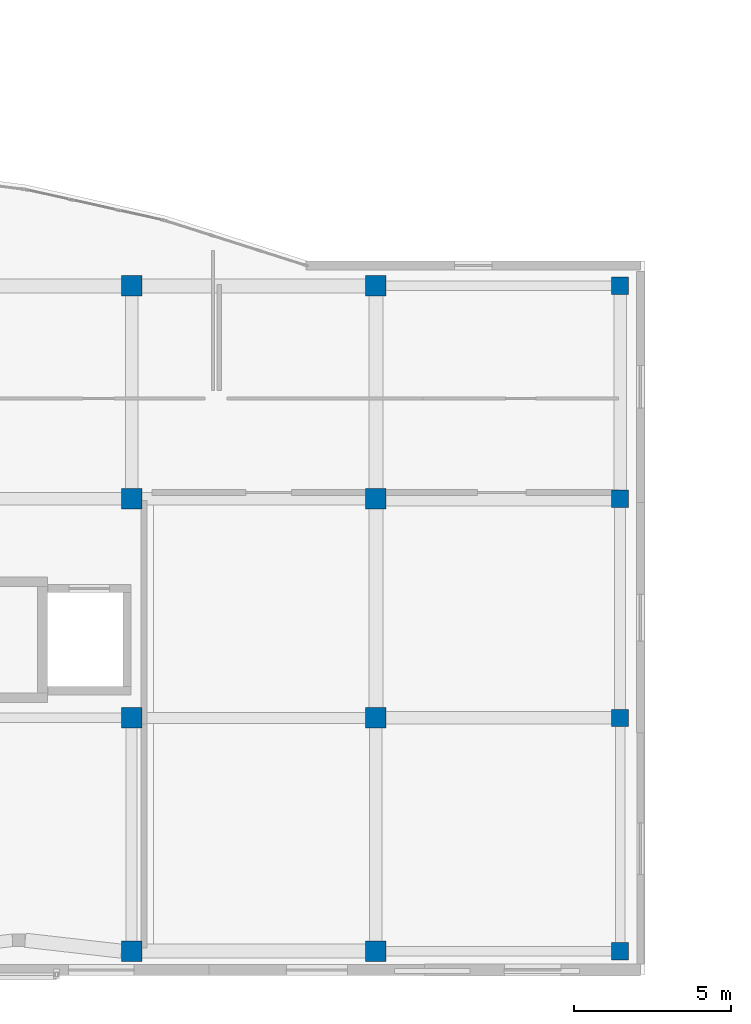
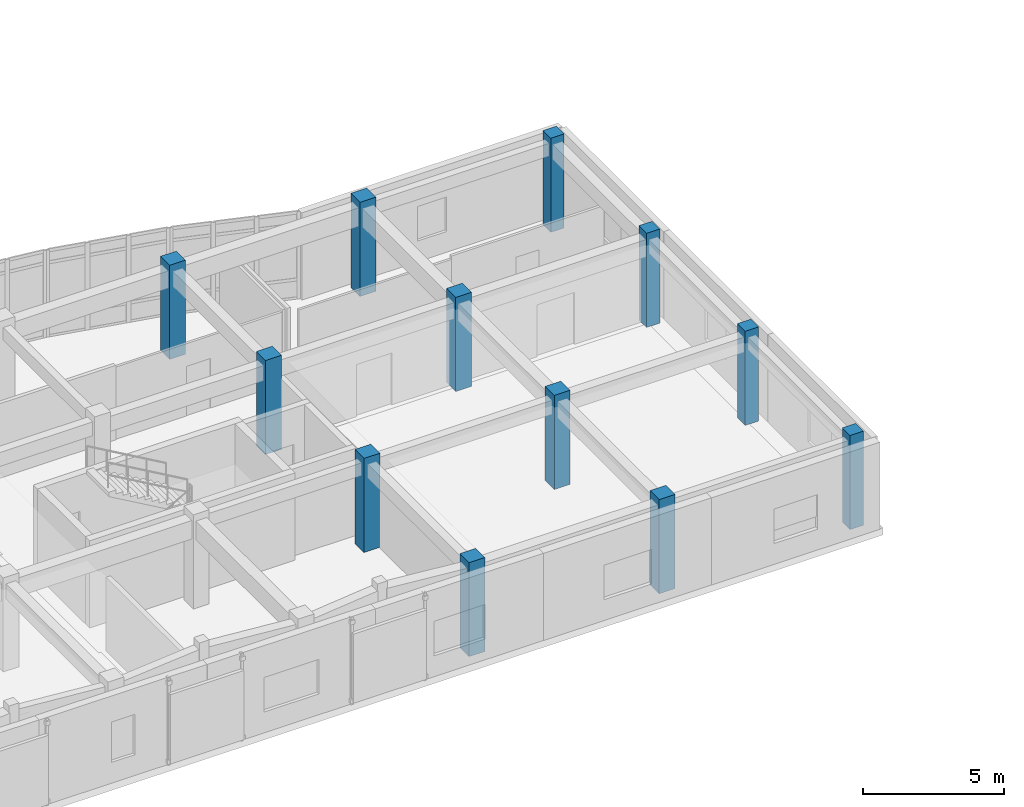
# One storey, part 7 of 146: 12 columns.
"""IFC4 building model written with IfcOpenShell, lengths in metres."""

import ifcopenshell
import ifcopenshell.guid

model = None  # the IFC model being written
_history = None  # IfcOwnerHistory: only IFC2X3 demands one
_inside = {}  # id of a spatial element -> (the spatial element, [elements in it])
_under = {}  # id of a project, library or spatial element -> (it, [spatial elements below it])
_declared = {}  # id of a project -> (the project, [libraries it declares])
_typed = {}  # id of a type object -> (the type object, [elements of that type])
_made_of = {}  # id of a material, layer set ... -> (it, [elements and type objects made of it])


def new_model(schema):
    """Start an empty IFC model of exactly this schema.

    Asked for "IFC4X3", IfcOpenShell would pick the latest addendum, in which some entities
    have other attributes; the version numbers below select the first issue.
    IFC2X3 requires an IfcOwnerHistory on every rooted entity: one is made here for all.
    """
    global model, _history
    if schema == "IFC4X3":
        model = ifcopenshell.file(schema_version=(4, 3, 0, 0))
    else:
        model = ifcopenshell.file(schema=schema)
    _inside.clear()
    _under.clear()
    _declared.clear()
    _typed.clear()
    _made_of.clear()
    _history = None
    if model.schema == "IFC2X3":
        org = make("IfcOrganization", Name="unknown")
        user = make(
            "IfcPersonAndOrganization",
            ThePerson=make("IfcPerson", FamilyName="unknown"),
            TheOrganization=org,
        )
        app = make(
            "IfcApplication",
            ApplicationDeveloper=org,
            Version="unknown",
            ApplicationFullName="unknown",
            ApplicationIdentifier="unknown",
        )
        _history = make(
            "IfcOwnerHistory",
            OwningUser=user,
            OwningApplication=app,
            ChangeAction="ADDED",
            CreationDate=0,
        )
    return model


def make(cls, **values):
    """One entity of the class cls with the attributes given. An attribute that is None is left unset."""
    return model.create_entity(
        cls, **{name: value for name, value in values.items() if value is not None}
    )


def rooted(cls, **values):
    """An entity with a GlobalId (a new one), such as an element, a storey or a relation."""
    return make(cls, GlobalId=ifcopenshell.guid.new(), OwnerHistory=_history, **values)


def si_unit(unit_type, name, prefix=None):
    """IfcSIUnit, for example si_unit("LENGTHUNIT", "METRE", prefix="MILLI")."""
    return make("IfcSIUnit", UnitType=unit_type, Prefix=prefix, Name=name)


def assignment(units):
    """IfcUnitAssignment: the units of a project."""
    return None if units is None else make("IfcUnitAssignment", Units=units)


def point(xyz):
    """IfcCartesianPoint."""
    return None if xyz is None else make("IfcCartesianPoint", Coordinates=xyz)


def direction(xyz):
    """IfcDirection."""
    return None if xyz is None else make("IfcDirection", DirectionRatios=xyz)


def frame(location, z_axis=None, x_axis=None):
    """IfcAxis2Placement3D, a coordinate frame: its origin and axes. An axis left out is left unset."""
    return make(
        "IfcAxis2Placement3D",
        Location=point(location),
        Axis=direction(z_axis),
        RefDirection=direction(x_axis),
    )


def frame_2d(location, x_axis=None):
    """IfcAxis2Placement2D, a coordinate frame in the plane: its origin and x axis."""
    return make(
        "IfcAxis2Placement2D", Location=point(location), RefDirection=direction(x_axis)
    )


def origin():
    """The frame at (0, 0, 0) with its axes left unset."""
    return frame((0.0, 0.0, 0.0))


def origin_2d():
    """The frame at (0, 0) in the plane with its x axis left unset."""
    return frame_2d((0.0, 0.0))


def place(relative_to, where):
    """IfcLocalPlacement: puts the frame where relative to a parent placement (None: the world)."""
    return make(
        "IfcLocalPlacement", PlacementRelTo=relative_to, RelativePlacement=where
    )


def context(
    kind, dimensions, precision=None, world=None, true_north=None, identifier=None
):
    """IfcGeometricRepresentationContext, for example the 3D "Model" context."""
    return make(
        "IfcGeometricRepresentationContext",
        ContextIdentifier=identifier,
        ContextType=kind,
        CoordinateSpaceDimension=dimensions,
        Precision=precision,
        WorldCoordinateSystem=world,
        TrueNorth=true_north,
    )


def subcontext(parent, identifier, kind, view, scale=None):
    """IfcGeometricRepresentationSubContext, for example "Body" below "Model"."""
    return make(
        "IfcGeometricRepresentationSubContext",
        ContextIdentifier=identifier,
        ContextType=kind,
        ParentContext=parent,
        TargetScale=scale,
        TargetView=view,
    )


def project(units=None, contexts=None):
    """IfcProject with its units and contexts."""
    return rooted(
        "IfcProject",
        Name="project",
        RepresentationContexts=contexts,
        UnitsInContext=assignment(units),
    )


def spatial(cls, under=None, at=None, **own):
    """A site, building, storey or space (cls), placed at a placement, below another one or the project."""
    s = rooted(cls, ObjectPlacement=at, **own)
    if under is not None:
        _under.setdefault(under.id(), (under, []))[1].append(s)
    return s


def profile(cls, at=None, kind="AREA", **sizes):
    """A parametric profile (cls). Its sizes go by their IFC names, for example OverallWidth=200.0."""
    return make(cls, ProfileType=kind, Position=at, **sizes)


def rectangle(**sizes):
    """IfcRectangleProfileDef."""
    return profile("IfcRectangleProfileDef", **sizes)


def extrude(swept, where, along, depth):
    """IfcExtrudedAreaSolid: the profile swept, set in the frame where, extruded along a direction by depth."""
    return make(
        "IfcExtrudedAreaSolid",
        SweptArea=swept,
        Position=where,
        ExtrudedDirection=direction(along),
        Depth=depth,
    )


def shape(context_of_items, identifier, shape_type, items):
    """IfcShapeRepresentation: the items that make up one representation, for example the "Body"."""
    return make(
        "IfcShapeRepresentation",
        ContextOfItems=context_of_items,
        RepresentationIdentifier=identifier,
        RepresentationType=shape_type,
        Items=items,
    )


def material(Name=None, Category=None):
    """IfcMaterial."""
    return make("IfcMaterial", Name=Name, Category=Category)


def material_profile(
    of_material, cross_section, Name=None, Category=None, Priority=None
):
    """IfcMaterialProfile: a cross section and its material."""
    return make(
        "IfcMaterialProfile",
        Name=Name,
        Material=of_material,
        Profile=cross_section,
        Priority=Priority,
        Category=Category,
    )


def profile_set(profiles, Name=None, composite=None):
    """IfcMaterialProfileSet."""
    return make(
        "IfcMaterialProfileSet",
        Name=Name,
        MaterialProfiles=profiles,
        CompositeProfile=composite,
    )


def made_of(thing, what):
    """Note that an element or type object is made of a material, layer set ...; save() writes the relation."""
    if what is not None:
        _made_of.setdefault(what.id(), (what, []))[1].append(thing)
    return thing


def type_object(cls, material=None, **own):
    """A type object (cls), such as IfcWallType, which elements share."""
    return made_of(rooted(cls, **own), material)


def element(
    cls,
    number,
    at=None,
    inside=None,
    cuts=None,
    type_object=None,
    material=None,
    context=None,
    identifier="Body",
    shape_type=None,
    held_by="IfcProductDefinitionShape",
    body=None,
    shapes=None,
    **own,
):
    """One element of the class cls, such as IfcWall. Its Tag is "e" and its number.

    at: its placement. inside: the storey or other place that contains it. cuts: it is an
    opening in that element (IfcRelVoidsElement). A single representation is given by context,
    identifier, shape_type and body (its items); several are given by shapes. held_by: the class
    of the entity that holds the representations. save() writes the other relations.
    """
    e = rooted(cls, Tag="e%d" % number, ObjectPlacement=at, **own)
    if body is not None:
        shapes = [shape(context, identifier, shape_type, body)]
    if shapes is not None:
        e.Representation = make(held_by, Representations=shapes)
    if inside is not None:
        _inside.setdefault(inside.id(), (inside, []))[1].append(e)
    if cuts is not None:
        rooted(
            "IfcRelVoidsElement", RelatingBuildingElement=cuts, RelatedOpeningElement=e
        )
    if type_object is not None:
        _typed.setdefault(type_object.id(), (type_object, []))[1].append(e)
    return made_of(e, material)


def aggregate(whole, parts):
    """IfcRelAggregates: a whole, such as a stair, and the parts it consists of."""
    return rooted("IfcRelAggregates", RelatingObject=whole, RelatedObjects=parts)


def save(model, path):
    """Write the relations noted so far, then the file.

    IfcRelAggregates (storeys below a building ...), IfcRelContainedInSpatialStructure (elements
    in a storey), IfcRelDefinesByType, IfcRelAssociatesMaterial and IfcRelDeclares: one each for
    every whole, place, type object, material and project.
    """
    for whole, parts in _under.values():
        aggregate(whole, parts)
    for where, things in _inside.values():
        rooted(
            "IfcRelContainedInSpatialStructure",
            RelatedElements=things,
            RelatingStructure=where,
        )
    for kind, things in _typed.values():
        rooted("IfcRelDefinesByType", RelatedObjects=things, RelatingType=kind)
    for what, things in _made_of.values():
        rooted("IfcRelAssociatesMaterial", RelatedObjects=things, RelatingMaterial=what)
    for by, libraries in _declared.values():
        rooted("IfcRelDeclares", RelatingContext=by, RelatedDefinitions=libraries)
    model.write(path)


model = new_model("IFC4")

# Units and contexts
model_context = context("Model", 3, precision=1e-05, world=origin(), true_north=direction((0.0, 1.0)))
body_context = subcontext(model_context, "Body", "Model", "MODEL_VIEW")
ifc_project = project(units=[si_unit("LENGTHUNIT", "METRE"), si_unit("AREAUNIT", "SQUARE_METRE"), si_unit("VOLUMEUNIT", "CUBIC_METRE"), si_unit("PLANEANGLEUNIT", "RADIAN"), si_unit("MASSUNIT", "GRAM", prefix="KILO")], contexts=[model_context])

# Site, building, storey
site_placement = place(None, origin())
site = spatial("IfcSite", under=ifc_project, at=site_placement, CompositionType="ELEMENT")
building_placement = place(site_placement, origin())
building = spatial("IfcBuilding", under=site, at=building_placement, Name="Valcora Specialist Clinic", CompositionType="ELEMENT")
storey_placement = place(building_placement, frame((0.0, 0.0, 9.52001953125)))
storey = spatial("IfcBuildingStorey", under=building, at=storey_placement, Name="L02", CompositionType="ELEMENT", Elevation=9.52001953125)

# Columns
ifc_material = material(Name="Concrete C40/50", Category="concrete")
ifc_material_profile_1 = material_profile(ifc_material, rectangle(XDim=0.550048828125, YDim=0.550048828125, at=origin_2d()), Name="RC-COL-550X550")
ifc_profile_set_1 = profile_set([ifc_material_profile_1], Name="Concrete C40/50")
column_type_1 = type_object("IfcColumnType", Name="TY-COL-RC550", PredefinedType="COLUMN", material=ifc_profile_set_1)
for number, where, z_axis, x_axis, name in (
    (1, (115.0, 0.75, 0.0), (0.0, 0.0, 1.0), (1.0, 0.0, 0.0), "Column COL-L02-0922"),
    (2, (115.0, 8.199951171875, 0.0), (0.0, 0.0, 1.0), (1.0, 0.0, 0.0), "Column COL-L02-0926"),
    (3, (115.0, 15.199951171875, 0.0), (0.0, 0.0, 1.0), (1.0, 0.0, 0.0), "Column COL-L02-0930"),
    (4, (115.0, 22.0, 0.0), (0.0, 0.0, 1.0), (1.0, 0.0, 0.0), "Column COL-L02-0934"),
):
    element("IfcColumn", number, at=place(storey_placement, frame(where, z_axis=z_axis, x_axis=x_axis)), inside=storey, type_object=column_type_1, Name=name, PredefinedType="COLUMN", context=body_context, shape_type="SweptSolid", body=[
        extrude(rectangle(XDim=0.550048828125, YDim=0.550048828125, at=origin_2d()), origin(), (0.0, 0.0, 1.0), 4.080078125),
    ])
ifc_material_profile_2 = material_profile(ifc_material, rectangle(XDim=0.64990234375, YDim=0.64990234375, at=origin_2d()), Name="RC-COL-650X650")
ifc_profile_set_2 = profile_set([ifc_material_profile_2], Name="Concrete C40/50")
column_type_2 = type_object("IfcColumnType", Name="TY-COL-RC650", PredefinedType="COLUMN", material=ifc_profile_set_2)
for number, where, z_axis, x_axis, name in (
    (5, (99.39990234375, 0.75, 0.0), (0.0, 0.0, 1.0), (1.0, 0.0, 0.0), "Column COL-L02-0879"),
    (6, (99.39990234375, 8.199951171875, 0.0), (0.0, 0.0, 1.0), (1.0, 0.0, 0.0), "Column COL-L02-0884"),
    (7, (99.39990234375, 15.199951171875, 0.0), (0.0, 0.0, 1.0), (1.0, 0.0, 0.0), "Column COL-L02-0890"),
    (8, (99.39990234375, 22.0, 0.0), (0.0, 0.0, 1.0), (1.0, 0.0, 0.0), "Column COL-L02-0896"),
    (9, (107.199951171875, 0.75, 0.0), (0.0, 0.0, 1.0), (1.0, 0.0, 0.0), "Column COL-L02-0902"),
    (10, (107.199951171875, 8.199951171875, 0.0), (0.0, 0.0, 1.0), (1.0, 0.0, 0.0), "Column COL-L02-0907"),
    (11, (107.199951171875, 15.199951171875, 0.0), (0.0, 0.0, 1.0), (1.0, 0.0, 0.0), "Column COL-L02-0912"),
    (12, (107.199951171875, 22.0, 0.0), (0.0, 0.0, 1.0), (1.0, 0.0, 0.0), "Column COL-L02-0917"),
):
    element("IfcColumn", number, at=place(storey_placement, frame(where, z_axis=z_axis, x_axis=x_axis)), inside=storey, type_object=column_type_2, Name=name, PredefinedType="COLUMN", context=body_context, shape_type="SweptSolid", body=[
        extrude(rectangle(XDim=0.64990234375, YDim=0.64990234375, at=origin_2d()), origin(), (0.0, 0.0, 1.0), 4.080078125),
    ])

save(model, "model.ifc")
